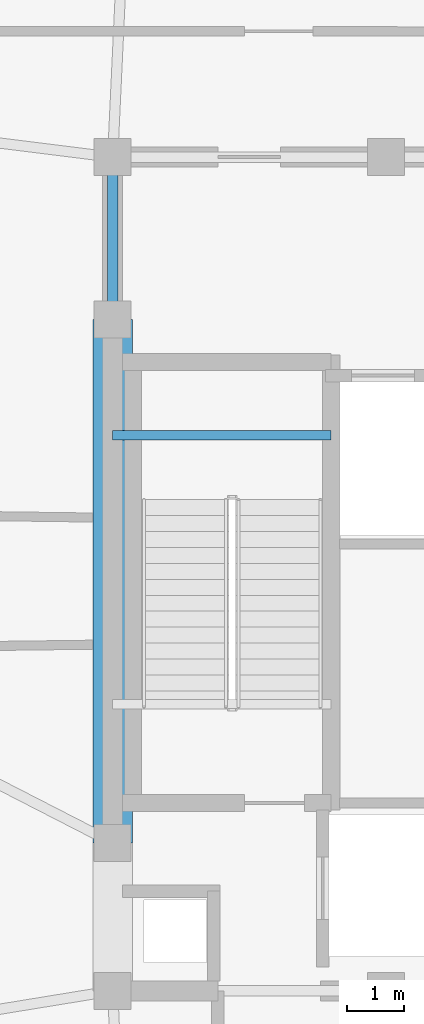
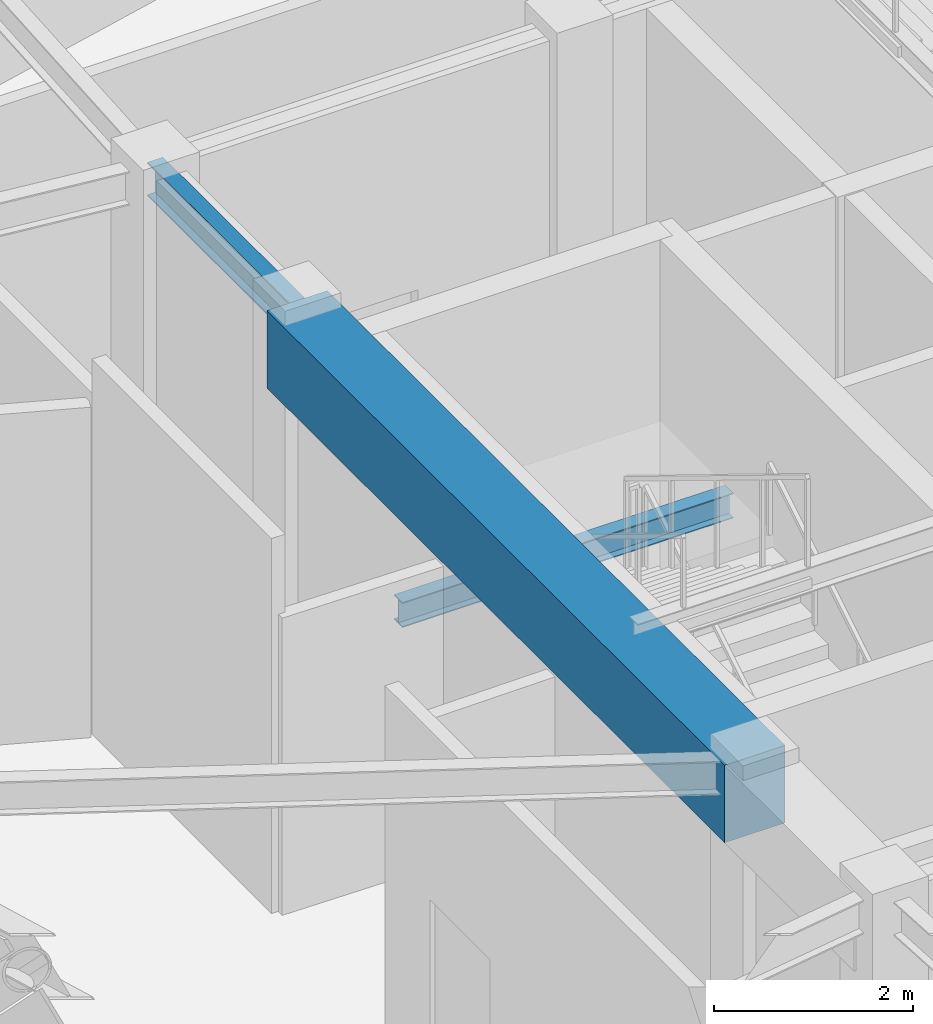
# One storey, part 9 of 27: 3 beams.
"""IFC4 building model written with IfcOpenShell, lengths in metres."""

from ifc_helpers import new_model, si_unit, direction, frame, origin, origin_2d, place, context, subcontext, project, spatial, rectangle, i_section, extrude, material, material_profile, profile_set, type_object, element, save


model = new_model("IFC4")

# Units and contexts
model_context = context("Model", 3, precision=1e-05, world=origin(), true_north=direction((0.0, 1.0)))
body_context = subcontext(model_context, "Body", "Model", "MODEL_VIEW")
ifc_project = project(units=[si_unit("LENGTHUNIT", "METRE"), si_unit("AREAUNIT", "SQUARE_METRE"), si_unit("VOLUMEUNIT", "CUBIC_METRE"), si_unit("PLANEANGLEUNIT", "RADIAN"), si_unit("MASSUNIT", "GRAM", prefix="KILO")], contexts=[model_context])

# Site, building, storey
site_placement = place(None, origin())
site = spatial("IfcSite", under=ifc_project, at=site_placement, CompositionType="ELEMENT")
building_placement = place(site_placement, origin())
building = spatial("IfcBuilding", under=site, at=building_placement, Name="Vantalir Tower", CompositionType="ELEMENT")
storey_placement = place(building_placement, frame((0.0, 0.0, 290.10009765625)))
storey = spatial("IfcBuildingStorey", under=building, at=storey_placement, Name="L73", CompositionType="ELEMENT", Elevation=290.10009765625)

# Beams
ifc_material_1 = material(Name="Concrete C60/75", Category="concrete")
ifc_material_profile_1 = material_profile(ifc_material_1, rectangle(XDim=0.699951171875, YDim=0.949951171875, at=origin_2d()), Name="Concrete C60/75")
ifc_profile_set_1 = profile_set([ifc_material_profile_1], Name="Concrete C60/75")
beam_type_1 = type_object("IfcBeamType", Name="BM-CB-700x950", PredefinedType="USERDEFINED", material=ifc_profile_set_1)
beam_1_placement = place(storey_placement, frame((21.89990234375, 29.60009765625, 4.14501953125), z_axis=(0.0, -1.0, 0.0), x_axis=(1.0, 0.0, 0.0)))
element("IfcBeam", 1, at=beam_1_placement, inside=storey, type_object=beam_type_1, Name="L73 Core Coupling Girder 13", ObjectType="GIRDER", PredefinedType="USERDEFINED", context=body_context, shape_type="SweptSolid", body=[
    extrude(rectangle(XDim=0.699951171875, YDim=0.949951171875, at=origin_2d()), origin(), (0.0, 0.0, 1.0), 9.2001953125),
])
ifc_material_2 = material(Name="Steel S355", Category="steel")
ifc_material_profile_2 = material_profile(ifc_material_2, i_section(OverallWidth=0.166015625, OverallDepth=0.306884765625, WebThickness=0.006591796875, FlangeThickness=0.01171875, at=origin_2d()), Name="Steel S355")
ifc_profile_set_2 = profile_set([ifc_material_profile_2], Name="Steel S355")
beam_type_2 = type_object("IfcBeamType", Name="BM-JS-305x165", PredefinedType="JOIST", material=ifc_profile_set_2)
beam_2_placement = place(storey_placement, frame((21.89990234375, 27.56494140625, 2.0458984375), z_axis=(1.0, 0.0, 0.0), x_axis=(0.0, 1.0, 0.0)))
element("IfcBeam", 2, at=beam_2_placement, inside=storey, type_object=beam_type_2, Name="L73 Stair ST1 Half-Landing Support Beam", PredefinedType="JOIST", context=body_context, shape_type="SweptSolid", body=[
    extrude(i_section(OverallWidth=0.166015625, OverallDepth=0.306884765625, WebThickness=0.006591796875, FlangeThickness=0.01171875, at=origin_2d()), origin(), (0.0, 0.0, 1.0), 3.840087890625),
])
ifc_material_profile_3 = material_profile(ifc_material_2, i_section(OverallWidth=0.179931640625, OverallDepth=0.4130859375, WebThickness=0.009521484375, FlangeThickness=0.01611328125, at=origin_2d()), Name="Steel S355")
ifc_profile_set_3 = profile_set([ifc_material_profile_3], Name="Steel S355")
beam_type_3 = type_object("IfcBeamType", Name="BM-RB-406x178", PredefinedType="BEAM", material=ifc_profile_set_3)
beam_3_placement = place(storey_placement, frame((21.89990234375, 32.449951171875, 4.413818359375), z_axis=(0.0, -1.0, 0.0), x_axis=(1.0, 0.0, 0.0)))
element("IfcBeam", 3, at=beam_3_placement, inside=storey, type_object=beam_type_3, Name="L73 Core Coupling Girder 12", PredefinedType="BEAM", context=body_context, shape_type="SweptSolid", body=[
    extrude(i_section(OverallWidth=0.179931640625, OverallDepth=0.4130859375, WebThickness=0.009521484375, FlangeThickness=0.01611328125, at=origin_2d()), origin(), (0.0, 0.0, 1.0), 2.849853515625),
])

save(model, "model.ifc")
